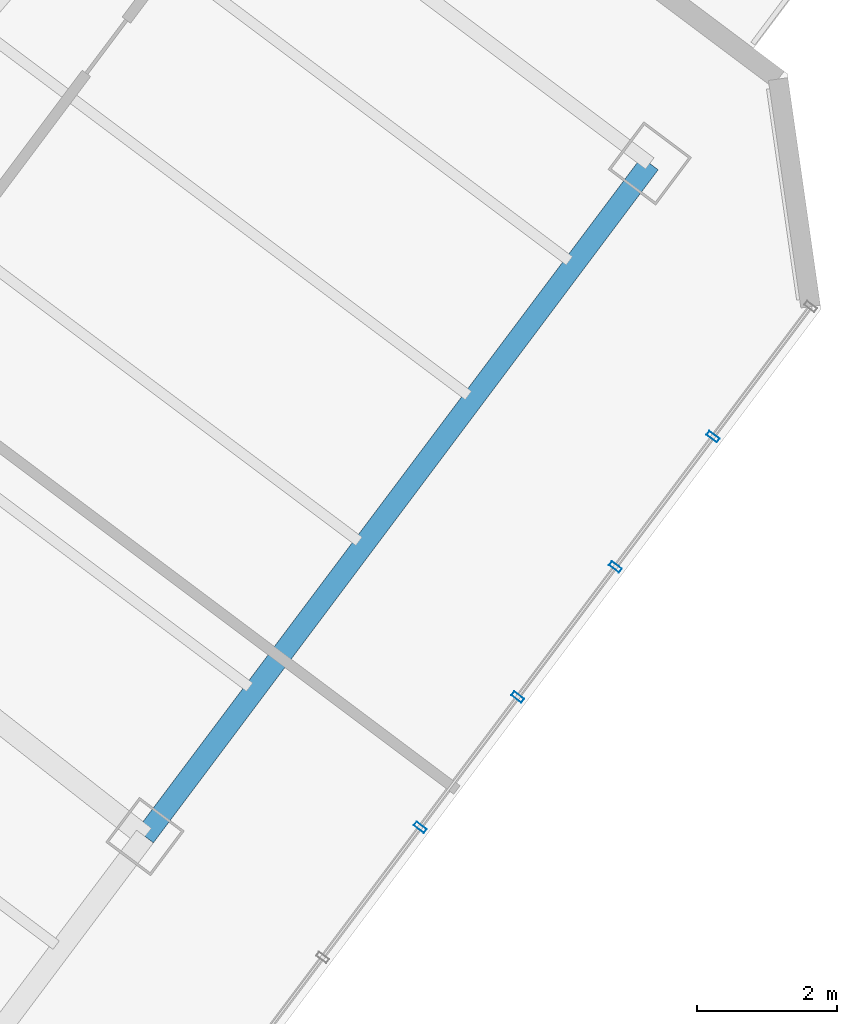
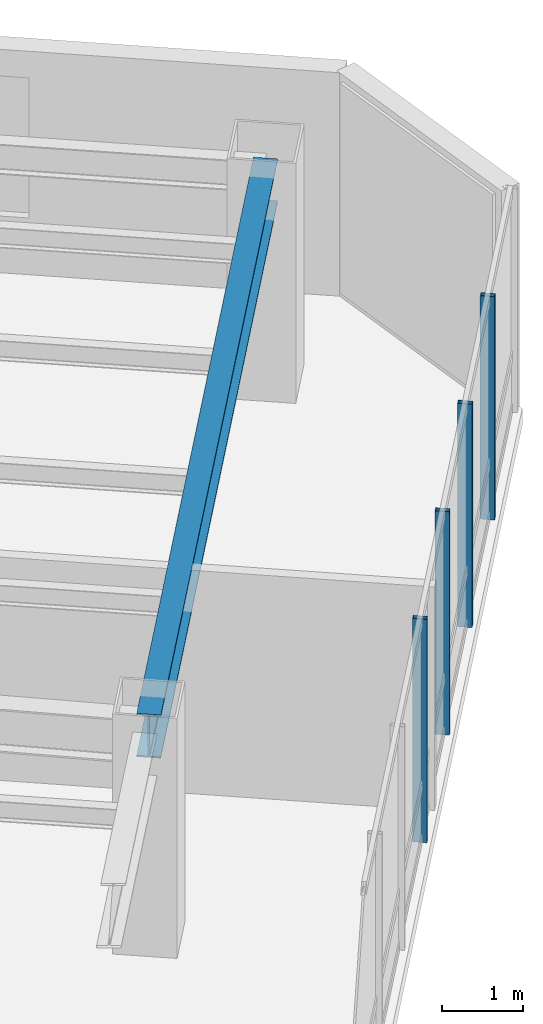
# One storey, part 13 of 27: 4 members, 1 beam, 1 element without a shape of its own.
"""IFC4 building model written with IfcOpenShell, lengths in metres."""

from ifc_helpers import new_model, si_unit, direction, frame, origin, origin_2d, place, context, subcontext, project, spatial, hollow_rectangle, i_section, extrude, material, layer, layer_set, material_profile, profile_set, type_object, element, aggregate, save


model = new_model("IFC4")

# Units and contexts
model_context = context("Model", 3, precision=1e-05, world=origin(), true_north=direction((0.0, 1.0)))
body_context = subcontext(model_context, "Body", "Model", "MODEL_VIEW")
ifc_project = project(units=[si_unit("LENGTHUNIT", "METRE"), si_unit("AREAUNIT", "SQUARE_METRE"), si_unit("VOLUMEUNIT", "CUBIC_METRE"), si_unit("PLANEANGLEUNIT", "RADIAN"), si_unit("MASSUNIT", "GRAM", prefix="KILO")], contexts=[model_context])

# Site, building, storey
site_placement = place(None, origin())
site = spatial("IfcSite", under=ifc_project, at=site_placement, CompositionType="ELEMENT")
building_placement = place(site_placement, origin())
building = spatial("IfcBuilding", under=site, at=building_placement, Name="Hatsunagi Terrace Concourse", CompositionType="ELEMENT")
storey_placement = place(building_placement, frame((0.0, 0.0, 156.449951171875)))
storey = spatial("IfcBuildingStorey", under=building, at=storey_placement, Name="L41", CompositionType="ELEMENT", Elevation=156.449951171875)

# Curtain wall, members
ifc_material_1 = material(Name="Anodised Aluminium Alloy 6063-T5", Category="aluminium")
ifc_layer = layer(ifc_material_1, 0.199951171875)
ifc_layer_set = layer_set([ifc_layer], Name="OfficeZone1_CW03")
curtain_wall_type = type_object("IfcCurtainWallType", Name="OfficeZone1_CW03", PredefinedType="NOTDEFINED", material=ifc_layer_set)
curtain_wall_placement = place(storey_placement, origin())
curtain_wall = element("IfcCurtainWall", 1, at=curtain_wall_placement, inside=storey, type_object=curtain_wall_type, Name="Unitised Curtain Wall CW-03 CW-L41-03", PredefinedType="NOTDEFINED")
ifc_material_2 = material(Name="Anodised Aluminium Alloy 6063-T5", Category="aluminium")
ifc_material_profile_1 = material_profile(ifc_material_2, hollow_rectangle(XDim=0.070068359375, YDim=0.179931640625, WallThickness=0.00390625, at=origin_2d()), Name="ALU-MUL-180x70x4")
ifc_profile_set_1 = profile_set([ifc_material_profile_1], Name="Anodised Aluminium Alloy 6063-T5")
member_type = type_object("IfcMemberType", Name="CurtainWallMullion_180x70", PredefinedType="MULLION", material=ifc_profile_set_1)
member_1_placement = place(storey_placement, frame((59.301025390625, 24.10205078125, 0.0), z_axis=(0.0, 0.0, 1.0), x_axis=(-0.599969314634, -0.800023013105, 0.0)))
member_1 = element("IfcMember", 2, at=member_1_placement, type_object=member_type, Name="Curtain Wall Mullion MUL-02", PredefinedType="MULLION", context=body_context, shape_type="SweptSolid", body=[
    extrude(hollow_rectangle(XDim=0.070068359375, YDim=0.179931640625, WallThickness=0.00390625, at=origin_2d()), origin(), (0.0, 0.0, 1.0), 3.35009765625),
])
member_2_placement = place(storey_placement, frame((57.908935546875, 22.2451171875, 0.0), z_axis=(0.0, 0.0, 1.0), x_axis=(-0.599969314634, -0.800023013105, 0.0)))
member_2 = element("IfcMember", 3, at=member_2_placement, type_object=member_type, Name="Curtain Wall Mullion MUL-02", PredefinedType="MULLION", context=body_context, shape_type="SweptSolid", body=[
    extrude(hollow_rectangle(XDim=0.070068359375, YDim=0.179931640625, WallThickness=0.00390625, at=origin_2d()), origin(), (0.0, 0.0, 1.0), 3.35009765625),
])
member_3_placement = place(storey_placement, frame((56.51611328125, 20.388916015625, 0.0), z_axis=(0.0, 0.0, 1.0), x_axis=(-0.599969314634, -0.800023013105, 0.0)))
member_3 = element("IfcMember", 4, at=member_3_placement, type_object=member_type, Name="Curtain Wall Mullion MUL-02", PredefinedType="MULLION", context=body_context, shape_type="SweptSolid", body=[
    extrude(hollow_rectangle(XDim=0.070068359375, YDim=0.179931640625, WallThickness=0.00390625, at=origin_2d()), origin(), (0.0, 0.0, 1.0), 3.35009765625),
])
member_4_placement = place(storey_placement, frame((55.1240234375, 18.531982421875, 0.0), z_axis=(0.0, 0.0, 1.0), x_axis=(-0.599969314634, -0.800023013105, 0.0)))
member_4 = element("IfcMember", 5, at=member_4_placement, type_object=member_type, Name="Curtain Wall Mullion MUL-02", PredefinedType="MULLION", context=body_context, shape_type="SweptSolid", body=[
    extrude(hollow_rectangle(XDim=0.070068359375, YDim=0.179931640625, WallThickness=0.00390625, at=origin_2d()), origin(), (0.0, 0.0, 1.0), 3.35009765625),
])
aggregate(curtain_wall, [member_1, member_2, member_3, member_4])

# Beam
ifc_material_3 = material(Name="Steel SN490B", Category="steel")
ifc_material_profile_2 = material_profile(ifc_material_3, i_section(OverallWidth=0.300048828125, OverallDepth=0.64990234375, WebThickness=0.012939453125, FlangeThickness=0.02197265625, FilletRadius=0.01806640625, at=origin_2d()), Name="H-650x300x13x22")
ifc_profile_set_2 = profile_set([ifc_material_profile_2], Name="Steel SN490B")
beam_type = type_object("IfcBeamType", Name="OfficeLowGirder_H_650x300", PredefinedType="BEAM", material=ifc_profile_set_2)
beam_placement = place(storey_placement, frame((51.199951171875, 18.39990234375, 3.025146484375), z_axis=(0.59999348959, 0.800004882766, 0.0), x_axis=(-0.800004882766, 0.59999348959, 0.0)))
element("IfcBeam", 6, at=beam_placement, inside=storey, type_object=beam_type, Name="Beam G-05 BM-L41-SET-2B", PredefinedType="BEAM", context=body_context, shape_type="SweptSolid", body=[
    extrude(i_section(OverallWidth=0.300048828125, OverallDepth=0.64990234375, WebThickness=0.012939453125, FlangeThickness=0.02197265625, FilletRadius=0.01806640625, at=origin_2d()), origin(), (0.0, 0.0, 1.0), 12.0),
])

save(model, "model.ifc")
